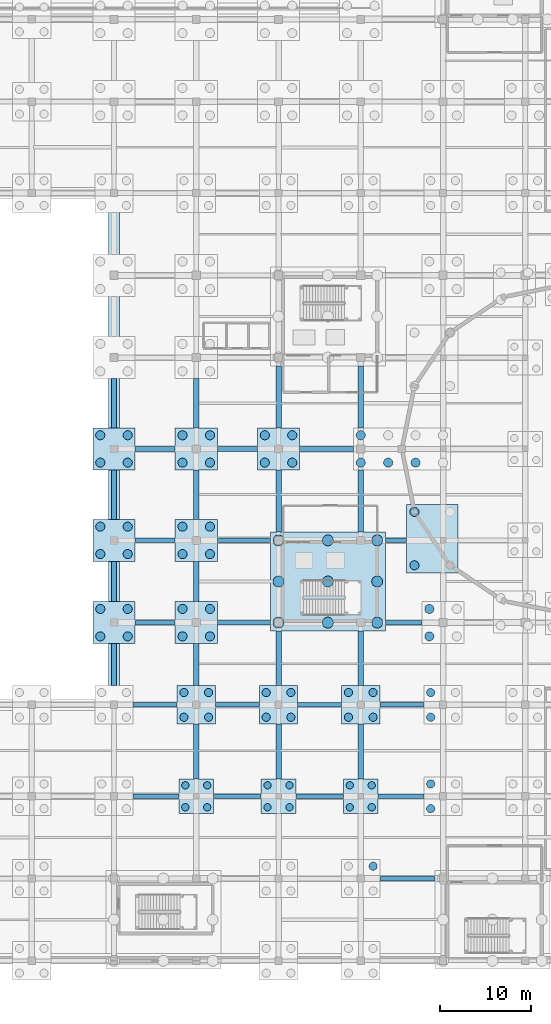
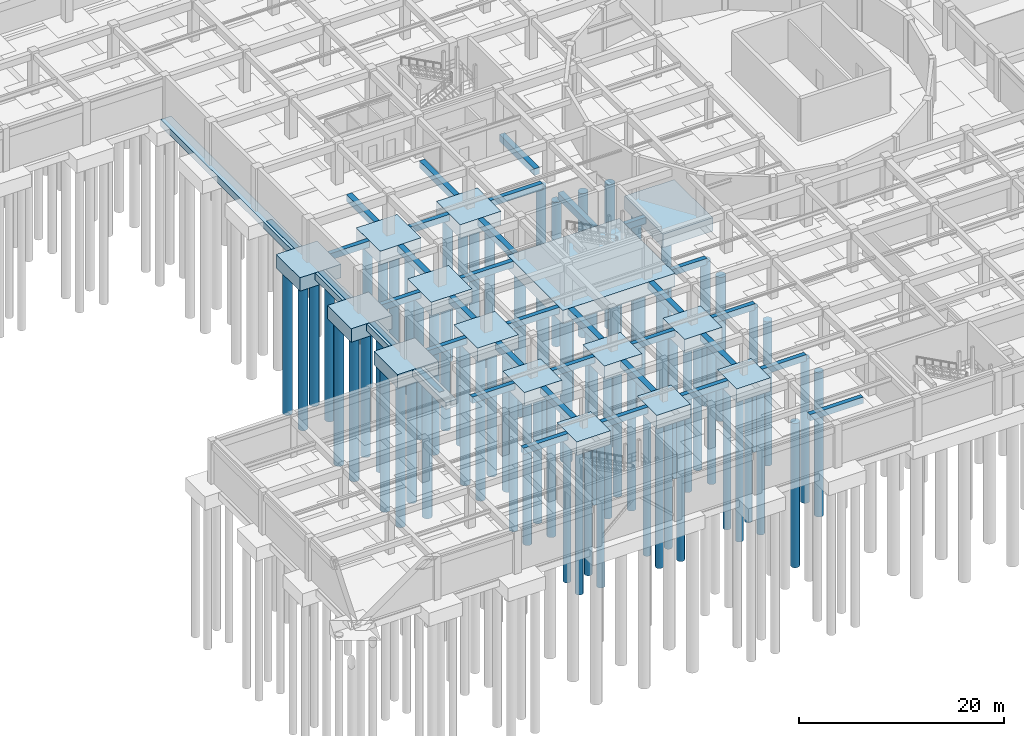
# One storey, part 2 of 62: 74 piles, 51 footings.
"""IFC4 building model written with IfcOpenShell, lengths in metres."""

from ifc_helpers import new_model, si_unit, direction, frame, origin, origin_2d, place, context, subcontext, project, spatial, polyline, rectangle, circle, outline, extrude, material, material_profile, profile_set, type_object, element, save


model = new_model("IFC4")

# Units and contexts
model_context = context("Model", 3, precision=1e-05, world=origin(), true_north=direction((0.0, 1.0)))
body_context = subcontext(model_context, "Body", "Model", "MODEL_VIEW")
ifc_project = project(units=[si_unit("LENGTHUNIT", "METRE"), si_unit("AREAUNIT", "SQUARE_METRE"), si_unit("VOLUMEUNIT", "CUBIC_METRE"), si_unit("PLANEANGLEUNIT", "RADIAN"), si_unit("MASSUNIT", "GRAM", prefix="KILO")], contexts=[model_context])

# Site, building, storey
site_placement = place(None, origin())
site = spatial("IfcSite", under=ifc_project, at=site_placement, CompositionType="ELEMENT")
building_placement = place(site_placement, origin())
building = spatial("IfcBuilding", under=site, at=building_placement, Name="Miravela Opera House", CompositionType="ELEMENT")
storey_placement = place(building_placement, frame((0.0, 0.0, -5.10009765625)))
storey = spatial("IfcBuildingStorey", under=building, at=storey_placement, Name="B01", CompositionType="ELEMENT", Elevation=-5.10009765625)

# Footings
ifc_material = material(Name="Concrete C35/45", Category="concrete")
footing_type_1 = type_object("IfcFootingType", Name="STR-GB-500X750", PredefinedType="FOOTING_BEAM", material=ifc_material)
footing_1_placement = place(storey_placement, frame((0.0, 0.0, -0.75)))
element("IfcFooting", 1, at=footing_1_placement, inside=storey, type_object=footing_type_1, Name="Seismic Grade Tie Beam GB-X-200", PredefinedType="FOOTING_BEAM", context=body_context, shape_type="SweptSolid", body=[
    extrude(outline(polyline([(56.10009765625, 8.75), (62.10009765625, 8.75), (62.10009765625, 9.25), (56.10009765625, 9.25), (56.10009765625, 8.75)])), origin(), (0.0, 0.0, 1.0), 0.75),
])
footing_2_placement = place(storey_placement, frame((0.0, 0.0, -0.75)))
element("IfcFooting", 2, at=footing_2_placement, inside=storey, type_object=footing_type_1, Name="Seismic Grade Tie Beam GB-X-213", PredefinedType="FOOTING_BEAM", context=body_context, shape_type="SweptSolid", body=[
    extrude(outline(polyline([(29.10009765625, 17.75), (34.10009765625, 17.75), (34.10009765625, 18.25), (29.10009765625, 18.25), (29.10009765625, 17.75)])), origin(), (0.0, 0.0, 1.0), 0.75),
])
footing_3_placement = place(storey_placement, frame((0.0, 0.0, -0.75)))
element("IfcFooting", 3, at=footing_3_placement, inside=storey, type_object=footing_type_1, Name="Seismic Grade Tie Beam GB-X-214", PredefinedType="FOOTING_BEAM", context=body_context, shape_type="SweptSolid", body=[
    extrude(outline(polyline([(37.89990234375, 17.75), (43.10009765625, 17.75), (43.10009765625, 18.25), (37.89990234375, 18.25), (37.89990234375, 17.75)])), origin(), (0.0, 0.0, 1.0), 0.75),
])
footing_4_placement = place(storey_placement, frame((0.0, 0.0, -0.75)))
element("IfcFooting", 4, at=footing_4_placement, inside=storey, type_object=footing_type_1, Name="Seismic Grade Tie Beam GB-X-215", PredefinedType="FOOTING_BEAM", context=body_context, shape_type="SweptSolid", body=[
    extrude(outline(polyline([(46.89990234375, 17.75), (52.10009765625, 17.75), (52.10009765625, 18.25), (46.89990234375, 18.25), (46.89990234375, 17.75)])), origin(), (0.0, 0.0, 1.0), 0.75),
])
footing_5_placement = place(storey_placement, frame((0.0, 0.0, -0.75)))
element("IfcFooting", 5, at=footing_5_placement, inside=storey, type_object=footing_type_1, Name="Seismic Grade Tie Beam GB-X-216", PredefinedType="FOOTING_BEAM", context=body_context, shape_type="SweptSolid", body=[
    extrude(outline(polyline([(55.89990234375, 17.75), (60.89990234375, 17.75), (60.89990234375, 18.25), (55.89990234375, 18.25), (55.89990234375, 17.75)])), origin(), (0.0, 0.0, 1.0), 0.75),
])
footing_6_placement = place(storey_placement, frame((0.0, 0.0, -0.75)))
element("IfcFooting", 6, at=footing_6_placement, inside=storey, type_object=footing_type_1, Name="Seismic Grade Tie Beam GB-X-231", PredefinedType="FOOTING_BEAM", context=body_context, shape_type="SweptSolid", body=[
    extrude(outline(polyline([(29.10009765625, 27.75), (33.89990234375, 27.75), (33.89990234375, 28.25), (29.10009765625, 28.25), (29.10009765625, 27.75)])), origin(), (0.0, 0.0, 1.0), 0.75),
])
footing_7_placement = place(storey_placement, frame((0.0, 0.0, -0.75)))
element("IfcFooting", 7, at=footing_7_placement, inside=storey, type_object=footing_type_1, Name="Seismic Grade Tie Beam GB-X-232", PredefinedType="FOOTING_BEAM", context=body_context, shape_type="SweptSolid", body=[
    extrude(outline(polyline([(38.10009765625, 27.75), (42.89990234375, 27.75), (42.89990234375, 28.25), (38.10009765625, 28.25), (38.10009765625, 27.75)])), origin(), (0.0, 0.0, 1.0), 0.75),
])
footing_8_placement = place(storey_placement, frame((0.0, 0.0, -0.75)))
element("IfcFooting", 8, at=footing_8_placement, inside=storey, type_object=footing_type_1, Name="Seismic Grade Tie Beam GB-X-233", PredefinedType="FOOTING_BEAM", context=body_context, shape_type="SweptSolid", body=[
    extrude(outline(polyline([(47.10009765625, 27.75), (51.89990234375, 27.75), (51.89990234375, 28.25), (47.10009765625, 28.25), (47.10009765625, 27.75)])), origin(), (0.0, 0.0, 1.0), 0.75),
])
footing_9_placement = place(storey_placement, frame((0.0, 0.0, -0.75)))
element("IfcFooting", 9, at=footing_9_placement, inside=storey, type_object=footing_type_1, Name="Seismic Grade Tie Beam GB-X-234", PredefinedType="FOOTING_BEAM", context=body_context, shape_type="SweptSolid", body=[
    extrude(outline(polyline([(56.10009765625, 27.75), (60.89990234375, 27.75), (60.89990234375, 28.25), (56.10009765625, 28.25), (56.10009765625, 27.75)])), origin(), (0.0, 0.0, 1.0), 0.75),
])
footing_10_placement = place(storey_placement, frame((0.0, 0.0, -0.75)))
element("IfcFooting", 10, at=footing_10_placement, inside=storey, type_object=footing_type_1, Name="Seismic Grade Tie Beam GB-X-246", PredefinedType="FOOTING_BEAM", context=body_context, shape_type="SweptSolid", body=[
    extrude(outline(polyline([(29.300048828125, 36.75), (33.699951171875, 36.75), (33.699951171875, 37.25), (29.300048828125, 37.25), (29.300048828125, 36.75)])), origin(), (0.0, 0.0, 1.0), 0.75),
])
footing_11_placement = place(storey_placement, frame((0.0, 0.0, -0.75)))
element("IfcFooting", 11, at=footing_11_placement, inside=storey, type_object=footing_type_1, Name="Seismic Grade Tie Beam GB-X-247", PredefinedType="FOOTING_BEAM", context=body_context, shape_type="SweptSolid", body=[
    extrude(outline(polyline([(38.300048828125, 36.75), (44.10009765625, 36.75), (44.10009765625, 37.25), (38.300048828125, 37.25), (38.300048828125, 36.75)])), origin(), (0.0, 0.0, 1.0), 0.75),
])
footing_12_placement = place(storey_placement, frame((0.0, 0.0, -0.75)))
element("IfcFooting", 12, at=footing_12_placement, inside=storey, type_object=footing_type_1, Name="Seismic Grade Tie Beam GB-X-248", PredefinedType="FOOTING_BEAM", context=body_context, shape_type="SweptSolid", body=[
    extrude(outline(polyline([(56.699951171875, 36.75), (60.699951171875, 36.75), (60.699951171875, 37.25), (56.699951171875, 37.25), (56.699951171875, 36.75)])), origin(), (0.0, 0.0, 1.0), 0.75),
])
footing_13_placement = place(storey_placement, frame((0.0, 0.0, -0.75)))
element("IfcFooting", 13, at=footing_13_placement, inside=storey, type_object=footing_type_1, Name="Seismic Grade Tie Beam GB-X-260", PredefinedType="FOOTING_BEAM", context=body_context, shape_type="SweptSolid", body=[
    extrude(outline(polyline([(29.300048828125, 45.75), (33.699951171875, 45.75), (33.699951171875, 46.25), (29.300048828125, 46.25), (29.300048828125, 45.75)])), origin(), (0.0, 0.0, 1.0), 0.75),
])
footing_14_placement = place(storey_placement, frame((0.0, 0.0, -0.75)))
element("IfcFooting", 14, at=footing_14_placement, inside=storey, type_object=footing_type_1, Name="Seismic Grade Tie Beam GB-X-261", PredefinedType="FOOTING_BEAM", context=body_context, shape_type="SweptSolid", body=[
    extrude(outline(polyline([(38.300048828125, 45.75), (44.10009765625, 45.75), (44.10009765625, 46.25), (38.300048828125, 46.25), (38.300048828125, 45.75)])), origin(), (0.0, 0.0, 1.0), 0.75),
])
footing_15_placement = place(storey_placement, frame((0.0, 0.0, -0.75)))
element("IfcFooting", 15, at=footing_15_placement, inside=storey, type_object=footing_type_1, Name="Seismic Grade Tie Beam GB-X-262", PredefinedType="FOOTING_BEAM", context=body_context, shape_type="SweptSolid", body=[
    extrude(outline(polyline([(56.699951171875, 45.75), (59.02099609375, 45.75), (59.02099609375, 46.25), (56.699951171875, 46.25), (56.699951171875, 45.75)])), origin(), (0.0, 0.0, 1.0), 0.75),
])
footing_16_placement = place(storey_placement, frame((0.0, 0.0, -0.75)))
element("IfcFooting", 16, at=footing_16_placement, inside=storey, type_object=footing_type_1, Name="Seismic Grade Tie Beam GB-X-270", PredefinedType="FOOTING_BEAM", context=body_context, shape_type="SweptSolid", body=[
    extrude(outline(polyline([(29.300048828125, 55.75), (33.699951171875, 55.75), (33.699951171875, 56.25), (29.300048828125, 56.25), (29.300048828125, 55.75)])), origin(), (0.0, 0.0, 1.0), 0.75),
])
footing_17_placement = place(storey_placement, frame((0.0, 0.0, -0.75)))
element("IfcFooting", 17, at=footing_17_placement, inside=storey, type_object=footing_type_1, Name="Seismic Grade Tie Beam GB-X-271", PredefinedType="FOOTING_BEAM", context=body_context, shape_type="SweptSolid", body=[
    extrude(outline(polyline([(38.300048828125, 55.75), (42.699951171875, 55.75), (42.699951171875, 56.25), (38.300048828125, 56.25), (38.300048828125, 55.75)])), origin(), (0.0, 0.0, 1.0), 0.75),
])
footing_18_placement = place(storey_placement, frame((0.0, 0.0, -0.75)))
element("IfcFooting", 18, at=footing_18_placement, inside=storey, type_object=footing_type_1, Name="Seismic Grade Tie Beam GB-X-272", PredefinedType="FOOTING_BEAM", context=body_context, shape_type="SweptSolid", body=[
    extrude(outline(polyline([(47.300048828125, 55.75), (53.199951171875, 55.75), (53.199951171875, 56.25), (47.300048828125, 56.25), (47.300048828125, 55.75)])), origin(), (0.0, 0.0, 1.0), 0.75),
])
footing_type_2 = type_object("IfcFootingType", Name="STR-GB-600X800", PredefinedType="FOOTING_BEAM", material=ifc_material)
footing_19_placement = place(storey_placement, frame((0.0, 0.0, -0.7998046875)))
element("IfcFooting", 19, at=footing_19_placement, inside=storey, type_object=footing_type_2, Name="Seismic Grade Tie Beam GB-Y-021", PredefinedType="FOOTING_BEAM", context=body_context, shape_type="SweptSolid", body=[
    extrude(outline(polyline([(26.699951171875, 30.10009765625), (27.300048828125, 30.10009765625), (27.300048828125, 34.699951171875), (26.699951171875, 34.699951171875), (26.699951171875, 30.10009765625)])), origin(), (0.0, 0.0, 1.0), 0.7998046875),
])
footing_20_placement = place(storey_placement, frame((0.0, 0.0, -0.7998046875)))
element("IfcFooting", 20, at=footing_20_placement, inside=storey, type_object=footing_type_2, Name="Seismic Grade Tie Beam GB-Y-022", PredefinedType="FOOTING_BEAM", context=body_context, shape_type="SweptSolid", body=[
    extrude(outline(polyline([(26.699951171875, 39.300048828125), (27.300048828125, 39.300048828125), (27.300048828125, 43.699951171875), (26.699951171875, 43.699951171875), (26.699951171875, 39.300048828125)])), origin(), (0.0, 0.0, 1.0), 0.7998046875),
])
footing_21_placement = place(storey_placement, frame((0.0, 0.0, -0.7998046875)))
element("IfcFooting", 21, at=footing_21_placement, inside=storey, type_object=footing_type_2, Name="Seismic Grade Tie Beam GB-Y-023", PredefinedType="FOOTING_BEAM", context=body_context, shape_type="SweptSolid", body=[
    extrude(outline(polyline([(26.699951171875, 48.300048828125), (27.300048828125, 48.300048828125), (27.300048828125, 53.699951171875), (26.699951171875, 53.699951171875), (26.699951171875, 48.300048828125)])), origin(), (0.0, 0.0, 1.0), 0.7998046875),
])
footing_22_placement = place(storey_placement, frame((0.0, 0.0, -0.7998046875)))
element("IfcFooting", 22, at=footing_22_placement, inside=storey, type_object=footing_type_2, Name="Seismic Grade Tie Beam GB-Y-024", PredefinedType="FOOTING_BEAM", context=body_context, shape_type="SweptSolid", body=[
    extrude(outline(polyline([(26.699951171875, 58.300048828125), (27.300048828125, 58.300048828125), (27.300048828125, 63.699951171875), (26.699951171875, 63.699951171875), (26.699951171875, 58.300048828125)])), origin(), (0.0, 0.0, 1.0), 0.7998046875),
])
footing_23_placement = place(storey_placement, frame((0.0, 0.0, -0.7998046875)))
element("IfcFooting", 23, at=footing_23_placement, inside=storey, type_object=footing_type_2, Name="Seismic Grade Tie Beam GB-Y-031", PredefinedType="FOOTING_BEAM", context=body_context, shape_type="SweptSolid", body=[
    extrude(outline(polyline([(35.699951171875, 19.89990234375), (36.300048828125, 19.89990234375), (36.300048828125, 25.89990234375), (35.699951171875, 25.89990234375), (35.699951171875, 19.89990234375)])), origin(), (0.0, 0.0, 1.0), 0.7998046875),
])
footing_24_placement = place(storey_placement, frame((0.0, 0.0, -0.7998046875)))
element("IfcFooting", 24, at=footing_24_placement, inside=storey, type_object=footing_type_2, Name="Seismic Grade Tie Beam GB-Y-032", PredefinedType="FOOTING_BEAM", context=body_context, shape_type="SweptSolid", body=[
    extrude(outline(polyline([(35.699951171875, 30.10009765625), (36.300048828125, 30.10009765625), (36.300048828125, 34.699951171875), (35.699951171875, 34.699951171875), (35.699951171875, 30.10009765625)])), origin(), (0.0, 0.0, 1.0), 0.7998046875),
])
footing_25_placement = place(storey_placement, frame((0.0, 0.0, -0.7998046875)))
element("IfcFooting", 25, at=footing_25_placement, inside=storey, type_object=footing_type_2, Name="Seismic Grade Tie Beam GB-Y-033", PredefinedType="FOOTING_BEAM", context=body_context, shape_type="SweptSolid", body=[
    extrude(outline(polyline([(35.699951171875, 39.300048828125), (36.300048828125, 39.300048828125), (36.300048828125, 43.699951171875), (35.699951171875, 43.699951171875), (35.699951171875, 39.300048828125)])), origin(), (0.0, 0.0, 1.0), 0.7998046875),
])
footing_26_placement = place(storey_placement, frame((0.0, 0.0, -0.7998046875)))
element("IfcFooting", 26, at=footing_26_placement, inside=storey, type_object=footing_type_2, Name="Seismic Grade Tie Beam GB-Y-034", PredefinedType="FOOTING_BEAM", context=body_context, shape_type="SweptSolid", body=[
    extrude(outline(polyline([(35.699951171875, 48.300048828125), (36.300048828125, 48.300048828125), (36.300048828125, 53.699951171875), (35.699951171875, 53.699951171875), (35.699951171875, 48.300048828125)])), origin(), (0.0, 0.0, 1.0), 0.7998046875),
])
footing_27_placement = place(storey_placement, frame((0.0, 0.0, -0.7998046875)))
element("IfcFooting", 27, at=footing_27_placement, inside=storey, type_object=footing_type_2, Name="Seismic Grade Tie Beam GB-Y-035", PredefinedType="FOOTING_BEAM", context=body_context, shape_type="SweptSolid", body=[
    extrude(outline(polyline([(35.699951171875, 58.300048828125), (36.300048828125, 58.300048828125), (36.300048828125, 63.699951171875), (35.699951171875, 63.699951171875), (35.699951171875, 58.300048828125)])), origin(), (0.0, 0.0, 1.0), 0.7998046875),
])
footing_28_placement = place(storey_placement, frame((0.0, 0.0, -0.7998046875)))
element("IfcFooting", 28, at=footing_28_placement, inside=storey, type_object=footing_type_2, Name="Seismic Grade Tie Beam GB-Y-043", PredefinedType="FOOTING_BEAM", context=body_context, shape_type="SweptSolid", body=[
    extrude(outline(polyline([(44.699951171875, 19.89990234375), (45.300048828125, 19.89990234375), (45.300048828125, 25.89990234375), (44.699951171875, 25.89990234375), (44.699951171875, 19.89990234375)])), origin(), (0.0, 0.0, 1.0), 0.7998046875),
])
footing_29_placement = place(storey_placement, frame((0.0, 0.0, -0.7998046875)))
element("IfcFooting", 29, at=footing_29_placement, inside=storey, type_object=footing_type_2, Name="Seismic Grade Tie Beam GB-Y-044", PredefinedType="FOOTING_BEAM", context=body_context, shape_type="SweptSolid", body=[
    extrude(outline(polyline([(44.699951171875, 30.10009765625), (45.300048828125, 30.10009765625), (45.300048828125, 36.10009765625), (44.699951171875, 36.10009765625), (44.699951171875, 30.10009765625)])), origin(), (0.0, 0.0, 1.0), 0.7998046875),
])
footing_30_placement = place(storey_placement, frame((0.0, 0.0, -0.7998046875)))
element("IfcFooting", 30, at=footing_30_placement, inside=storey, type_object=footing_type_2, Name="Seismic Grade Tie Beam GB-Y-045", PredefinedType="FOOTING_BEAM", context=body_context, shape_type="SweptSolid", body=[
    extrude(outline(polyline([(44.699951171875, 46.89990234375), (45.300048828125, 46.89990234375), (45.300048828125, 53.699951171875), (44.699951171875, 53.699951171875), (44.699951171875, 46.89990234375)])), origin(), (0.0, 0.0, 1.0), 0.7998046875),
])
footing_31_placement = place(storey_placement, frame((0.0, 0.0, -0.7998046875)))
element("IfcFooting", 31, at=footing_31_placement, inside=storey, type_object=footing_type_2, Name="Seismic Grade Tie Beam GB-Y-046", PredefinedType="FOOTING_BEAM", context=body_context, shape_type="SweptSolid", body=[
    extrude(outline(polyline([(44.699951171875, 58.300048828125), (45.300048828125, 58.300048828125), (45.300048828125, 65.10009765625), (44.699951171875, 65.10009765625), (44.699951171875, 58.300048828125)])), origin(), (0.0, 0.0, 1.0), 0.7998046875),
])
footing_32_placement = place(storey_placement, frame((0.0, 0.0, -0.7998046875)))
element("IfcFooting", 32, at=footing_32_placement, inside=storey, type_object=footing_type_2, Name="Seismic Grade Tie Beam GB-Y-053", PredefinedType="FOOTING_BEAM", context=body_context, shape_type="SweptSolid", body=[
    extrude(outline(polyline([(53.699951171875, 19.89990234375), (54.300048828125, 19.89990234375), (54.300048828125, 25.89990234375), (53.699951171875, 25.89990234375), (53.699951171875, 19.89990234375)])), origin(), (0.0, 0.0, 1.0), 0.7998046875),
])
footing_33_placement = place(storey_placement, frame((0.0, 0.0, -0.7998046875)))
element("IfcFooting", 33, at=footing_33_placement, inside=storey, type_object=footing_type_2, Name="Seismic Grade Tie Beam GB-Y-054", PredefinedType="FOOTING_BEAM", context=body_context, shape_type="SweptSolid", body=[
    extrude(outline(polyline([(53.699951171875, 30.10009765625), (54.300048828125, 30.10009765625), (54.300048828125, 36.10009765625), (53.699951171875, 36.10009765625), (53.699951171875, 30.10009765625)])), origin(), (0.0, 0.0, 1.0), 0.7998046875),
])
footing_34_placement = place(storey_placement, frame((0.0, 0.0, -0.7998046875)))
element("IfcFooting", 34, at=footing_34_placement, inside=storey, type_object=footing_type_2, Name="Seismic Grade Tie Beam GB-Y-055", PredefinedType="FOOTING_BEAM", context=body_context, shape_type="SweptSolid", body=[
    extrude(outline(polyline([(53.699951171875, 46.89990234375), (54.300048828125, 46.89990234375), (54.300048828125, 53.699951171875), (53.699951171875, 53.699951171875), (53.699951171875, 46.89990234375)])), origin(), (0.0, 0.0, 1.0), 0.7998046875),
])
footing_35_placement = place(storey_placement, frame((0.0, 0.0, -0.7998046875)))
element("IfcFooting", 35, at=footing_35_placement, inside=storey, type_object=footing_type_2, Name="Seismic Grade Tie Beam GB-Y-056", PredefinedType="FOOTING_BEAM", context=body_context, shape_type="SweptSolid", body=[
    extrude(outline(polyline([(53.699951171875, 58.300048828125), (54.300048828125, 58.300048828125), (54.300048828125, 65.10009765625), (53.699951171875, 65.10009765625), (53.699951171875, 58.300048828125)])), origin(), (0.0, 0.0, 1.0), 0.7998046875),
])
footing_type_3 = type_object("IfcFootingType", Name="STR-PC-12600X10800X1600", PredefinedType="PILE_CAP", material=ifc_material)
footing_36_placement = place(storey_placement, frame((50.39990234375, 41.5, -1.599853515625), z_axis=(0.0, 0.0, 1.0), x_axis=(1.0, 0.0, 0.0)))
element("IfcFooting", 36, at=footing_36_placement, inside=storey, type_object=footing_type_3, Name="Pile Cap PC-B01-052 (PC-03)", PredefinedType="PILE_CAP", context=body_context, shape_type="SweptSolid", body=[
    extrude(rectangle(XDim=12.60009765625, YDim=10.800048828125, at=origin_2d()), origin(), (0.0, 0.0, 1.0), 1.60009765625),
])
footing_type_4 = type_object("IfcFootingType", Name="STR-PC-3800X3800X1600", PredefinedType="PILE_CAP", material=ifc_material)
for number, where, z_axis, x_axis, name in (
    (37, (36.0, 18.0, -1.599853515625), (0.0, 0.0, 1.0), (1.0, 0.0, 0.0), "Pile Cap PC-B01-037 (PC-01)"),
    (38, (45.0, 18.0, -1.599853515625), (0.0, 0.0, 1.0), (1.0, 0.0, 0.0), "Pile Cap PC-B01-050 (PC-01)"),
    (39, (54.0, 18.0, -1.599853515625), (0.0, 0.0, 1.0), (1.0, 0.0, 0.0), "Pile Cap PC-B01-061 (PC-01)"),
):
    element("IfcFooting", number, at=place(storey_placement, frame(where, z_axis=z_axis, x_axis=x_axis)), inside=storey, type_object=footing_type_4, Name=name, PredefinedType="PILE_CAP", context=body_context, shape_type="SweptSolid", body=[
        extrude(rectangle(XDim=3.800048828125, YDim=3.800048828125, at=origin_2d()), origin(), (0.0, 0.0, 1.0), 1.60009765625),
    ])
footing_type_5 = type_object("IfcFootingType", Name="STR-PC-4200X4200X1600", PredefinedType="PILE_CAP", material=ifc_material)
for number, where, z_axis, x_axis, name in (
    (40, (36.0, 28.0, -1.599853515625), (0.0, 0.0, 1.0), (1.0, 0.0, 0.0), "Pile Cap PC-B01-038 (PC-02)"),
    (41, (45.0, 28.0, -1.599853515625), (0.0, 0.0, 1.0), (1.0, 0.0, 0.0), "Pile Cap PC-B01-051 (PC-02)"),
    (42, (54.0, 28.0, -1.599853515625), (0.0, 0.0, 1.0), (1.0, 0.0, 0.0), "Pile Cap PC-B01-062 (PC-02)"),
):
    element("IfcFooting", number, at=place(storey_placement, frame(where, z_axis=z_axis, x_axis=x_axis)), inside=storey, type_object=footing_type_5, Name=name, PredefinedType="PILE_CAP", context=body_context, shape_type="SweptSolid", body=[
        extrude(rectangle(XDim=4.199951171875, YDim=4.199951171875, at=origin_2d()), origin(), (0.0, 0.0, 1.0), 1.60009765625),
    ])
footing_type_6 = type_object("IfcFootingType", Name="STR-PC-4600X4600X1600", PredefinedType="PILE_CAP", material=ifc_material)
for number, where, z_axis, x_axis, name in (
    (43, (27.0, 37.0, -1.599853515625), (0.0, 0.0, 1.0), (1.0, 0.0, 0.0), "Pile Cap PC-B01-028 (PC-04)"),
    (44, (27.0, 46.0, -1.599853515625), (0.0, 0.0, 1.0), (1.0, 0.0, 0.0), "Pile Cap PC-B01-029 (PC-04)"),
    (45, (27.0, 56.0, -1.599853515625), (0.0, 0.0, 1.0), (1.0, 0.0, 0.0), "Pile Cap PC-B01-030 (PC-04)"),
    (46, (36.0, 37.0, -1.599853515625), (0.0, 0.0, 1.0), (1.0, 0.0, 0.0), "Pile Cap PC-B01-039 (PC-04)"),
    (47, (36.0, 46.0, -1.599853515625), (0.0, 0.0, 1.0), (1.0, 0.0, 0.0), "Pile Cap PC-B01-040 (PC-04)"),
    (48, (36.0, 56.0, -1.599853515625), (0.0, 0.0, 1.0), (1.0, 0.0, 0.0), "Pile Cap PC-B01-041 (PC-04)"),
    (49, (45.0, 56.0, -1.599853515625), (0.0, 0.0, 1.0), (1.0, 0.0, 0.0), "Pile Cap PC-B01-053 (PC-04)"),
):
    element("IfcFooting", number, at=place(storey_placement, frame(where, z_axis=z_axis, x_axis=x_axis)), inside=storey, type_object=footing_type_6, Name=name, PredefinedType="PILE_CAP", context=body_context, shape_type="SweptSolid", body=[
        extrude(rectangle(XDim=4.60009765625, YDim=4.60009765625, at=origin_2d()), origin(), (0.0, 0.0, 1.0), 1.60009765625),
    ])
footing_type_7 = type_object("IfcFootingType", Name="STR-PC-5600X7500X1600", PredefinedType="PILE_CAP", material=ifc_material)
footing_37_placement = place(storey_placement, frame((61.821044921875, 46.19189453125, -1.599853515625), z_axis=(0.0, 0.0, 1.0), x_axis=(1.0, 0.0, 0.0)))
element("IfcFooting", 50, at=footing_37_placement, inside=storey, type_object=footing_type_7, Name="Pile Cap PC-B01-072 (PC-06)", PredefinedType="PILE_CAP", context=body_context, shape_type="SweptSolid", body=[
    extrude(rectangle(XDim=5.60009765625, YDim=7.5, at=origin_2d()), origin(), (0.0, 0.0, 1.0), 1.60009765625),
])

# Piles
ifc_material_profile_1 = material_profile(ifc_material, circle(Radius=0.5, at=origin_2d()), Name="PILE-D1000")
ifc_profile_set_1 = profile_set([ifc_material_profile_1])
pile_type_1 = type_object("IfcPileType", Name="STR-PILE-D1000", PredefinedType="BORED", material=ifc_profile_set_1)
for number, where, z_axis, x_axis, name in (
    (51, (25.5, 35.5, -1.449951171875), (0.0, 0.0, -1.0), (1.0, 0.0, 0.0), "Bored Pile P-114"),
    (52, (25.5, 38.5, -1.449951171875), (0.0, 0.0, -1.0), (1.0, 0.0, 0.0), "Bored Pile P-115"),
    (53, (28.5, 35.5, -1.449951171875), (0.0, 0.0, -1.0), (1.0, 0.0, 0.0), "Bored Pile P-116"),
    (54, (28.5, 38.5, -1.449951171875), (0.0, 0.0, -1.0), (1.0, 0.0, 0.0), "Bored Pile P-117"),
    (55, (25.5, 44.5, -1.449951171875), (0.0, 0.0, -1.0), (1.0, 0.0, 0.0), "Bored Pile P-118"),
    (56, (25.5, 47.5, -1.449951171875), (0.0, 0.0, -1.0), (1.0, 0.0, 0.0), "Bored Pile P-119"),
    (57, (28.5, 44.5, -1.449951171875), (0.0, 0.0, -1.0), (1.0, 0.0, 0.0), "Bored Pile P-120"),
    (58, (28.5, 47.5, -1.449951171875), (0.0, 0.0, -1.0), (1.0, 0.0, 0.0), "Bored Pile P-121"),
    (59, (25.5, 54.5, -1.449951171875), (0.0, 0.0, -1.0), (1.0, 0.0, 0.0), "Bored Pile P-122"),
    (60, (25.5, 57.5, -1.449951171875), (0.0, 0.0, -1.0), (1.0, 0.0, 0.0), "Bored Pile P-123"),
    (61, (28.5, 54.5, -1.449951171875), (0.0, 0.0, -1.0), (1.0, 0.0, 0.0), "Bored Pile P-124"),
    (62, (28.5, 57.5, -1.449951171875), (0.0, 0.0, -1.0), (1.0, 0.0, 0.0), "Bored Pile P-125"),
    (63, (34.5, 35.5, -1.449951171875), (0.0, 0.0, -1.0), (1.0, 0.0, 0.0), "Bored Pile P-158"),
    (64, (34.5, 38.5, -1.449951171875), (0.0, 0.0, -1.0), (1.0, 0.0, 0.0), "Bored Pile P-159"),
    (65, (37.5, 35.5, -1.449951171875), (0.0, 0.0, -1.0), (1.0, 0.0, 0.0), "Bored Pile P-160"),
    (66, (37.5, 38.5, -1.449951171875), (0.0, 0.0, -1.0), (1.0, 0.0, 0.0), "Bored Pile P-161"),
    (67, (34.5, 44.5, -1.449951171875), (0.0, 0.0, -1.0), (1.0, 0.0, 0.0), "Bored Pile P-162"),
    (68, (34.5, 47.5, -1.449951171875), (0.0, 0.0, -1.0), (1.0, 0.0, 0.0), "Bored Pile P-163"),
    (69, (37.5, 44.5, -1.449951171875), (0.0, 0.0, -1.0), (1.0, 0.0, 0.0), "Bored Pile P-164"),
    (70, (37.5, 47.5, -1.449951171875), (0.0, 0.0, -1.0), (1.0, 0.0, 0.0), "Bored Pile P-165"),
    (71, (34.5, 54.5, -1.449951171875), (0.0, 0.0, -1.0), (1.0, 0.0, 0.0), "Bored Pile P-166"),
    (72, (34.5, 57.5, -1.449951171875), (0.0, 0.0, -1.0), (1.0, 0.0, 0.0), "Bored Pile P-167"),
    (73, (37.5, 54.5, -1.449951171875), (0.0, 0.0, -1.0), (1.0, 0.0, 0.0), "Bored Pile P-168"),
    (74, (37.5, 57.5, -1.449951171875), (0.0, 0.0, -1.0), (1.0, 0.0, 0.0), "Bored Pile P-169"),
    (75, (43.5, 54.5, -1.449951171875), (0.0, 0.0, -1.0), (1.0, 0.0, 0.0), "Bored Pile P-219"),
    (76, (43.5, 57.5, -1.449951171875), (0.0, 0.0, -1.0), (1.0, 0.0, 0.0), "Bored Pile P-220"),
    (77, (46.5, 54.5, -1.449951171875), (0.0, 0.0, -1.0), (1.0, 0.0, 0.0), "Bored Pile P-221"),
    (78, (46.5, 57.5, -1.449951171875), (0.0, 0.0, -1.0), (1.0, 0.0, 0.0), "Bored Pile P-222"),
    (79, (54.0, 54.5, -1.449951171875), (0.0, 0.0, -1.0), (1.0, 0.0, 0.0), "Bored Pile P-264"),
    (80, (54.0, 57.5, -1.449951171875), (0.0, 0.0, -1.0), (1.0, 0.0, 0.0), "Bored Pile P-265"),
    (81, (57.0, 54.5, -1.449951171875), (0.0, 0.0, -1.0), (1.0, 0.0, 0.0), "Bored Pile P-266"),
    (82, (60.0, 54.5, -1.449951171875), (0.0, 0.0, -1.0), (1.0, 0.0, 0.0), "Bored Pile P-268"),
    (83, (61.5, 35.5, -1.449951171875), (0.0, 0.0, -1.0), (1.0, 0.0, 0.0), "Bored Pile P-305"),
    (84, (61.5, 38.5, -1.449951171875), (0.0, 0.0, -1.0), (1.0, 0.0, 0.0), "Bored Pile P-306"),
    (85, (59.8701171875, 43.272216796875, -1.449951171875), (0.0, 0.0, -1.0), (1.0, 0.0, 0.0), "Bored Pile P-309"),
    (86, (59.8701171875, 49.11181640625, -1.449951171875), (0.0, 0.0, -1.0), (1.0, 0.0, 0.0), "Bored Pile P-310"),
):
    element("IfcPile", number, at=place(storey_placement, frame(where, z_axis=z_axis, x_axis=x_axis)), inside=storey, type_object=pile_type_1, Name=name, PredefinedType="BORED", context=body_context, shape_type="SweptSolid", body=[
        extrude(circle(Radius=0.5, at=origin_2d()), origin(), (0.0, 0.0, 1.0), 17.14990234375),
    ])
ifc_material_profile_2 = material_profile(ifc_material, circle(Radius=0.60009765625, at=origin_2d()), Name="PILE-D1200")
ifc_profile_set_2 = profile_set([ifc_material_profile_2])
pile_type_2 = type_object("IfcPileType", Name="STR-PILE-D1200", PredefinedType="BORED", material=ifc_profile_set_2)
for number, where, z_axis, x_axis, name in (
    (87, (45.0, 37.0, -1.449951171875), (0.0, 0.0, -1.0), (1.0, 0.0, 0.0), "Bored Pile P-210"),
    (88, (45.0, 41.5, -1.449951171875), (0.0, 0.0, -1.0), (1.0, 0.0, 0.0), "Bored Pile P-211"),
    (89, (45.0, 46.0, -1.449951171875), (0.0, 0.0, -1.0), (1.0, 0.0, 0.0), "Bored Pile P-212"),
    (90, (50.39990234375, 37.0, -1.449951171875), (0.0, 0.0, -1.0), (1.0, 0.0, 0.0), "Bored Pile P-213"),
    (91, (50.39990234375, 41.5, -1.449951171875), (0.0, 0.0, -1.0), (1.0, 0.0, 0.0), "Bored Pile P-214"),
    (92, (50.39990234375, 46.0, -1.449951171875), (0.0, 0.0, -1.0), (1.0, 0.0, 0.0), "Bored Pile P-215"),
    (93, (55.800048828125, 37.0, -1.449951171875), (0.0, 0.0, -1.0), (1.0, 0.0, 0.0), "Bored Pile P-216"),
    (94, (55.800048828125, 41.5, -1.449951171875), (0.0, 0.0, -1.0), (1.0, 0.0, 0.0), "Bored Pile P-217"),
    (95, (55.800048828125, 46.0, -1.449951171875), (0.0, 0.0, -1.0), (1.0, 0.0, 0.0), "Bored Pile P-218"),
):
    element("IfcPile", number, at=place(storey_placement, frame(where, z_axis=z_axis, x_axis=x_axis)), inside=storey, type_object=pile_type_2, Name=name, PredefinedType="BORED", context=body_context, shape_type="SweptSolid", body=[
        extrude(circle(Radius=0.60009765625, at=origin_2d()), origin(), (0.0, 0.0, 1.0), 17.14990234375),
    ])
ifc_material_profile_3 = material_profile(ifc_material, circle(Radius=0.39990234375, at=origin_2d()), Name="PILE-D800")
ifc_profile_set_3 = profile_set([ifc_material_profile_3])
pile_type_3 = type_object("IfcPileType", Name="STR-PILE-D800", PredefinedType="BORED", material=ifc_profile_set_3)
for number, where, z_axis, x_axis, name in (
    (96, (34.800048828125, 16.800048828125, -1.449951171875), (0.0, 0.0, -1.0), (1.0, 0.0, 0.0), "Bored Pile P-150"),
    (97, (34.800048828125, 19.199951171875, -1.449951171875), (0.0, 0.0, -1.0), (1.0, 0.0, 0.0), "Bored Pile P-151"),
    (98, (37.199951171875, 16.800048828125, -1.449951171875), (0.0, 0.0, -1.0), (1.0, 0.0, 0.0), "Bored Pile P-152"),
    (99, (37.199951171875, 19.199951171875, -1.449951171875), (0.0, 0.0, -1.0), (1.0, 0.0, 0.0), "Bored Pile P-153"),
    (100, (43.800048828125, 16.800048828125, -1.449951171875), (0.0, 0.0, -1.0), (1.0, 0.0, 0.0), "Bored Pile P-202"),
    (101, (43.800048828125, 19.199951171875, -1.449951171875), (0.0, 0.0, -1.0), (1.0, 0.0, 0.0), "Bored Pile P-203"),
    (102, (46.199951171875, 16.800048828125, -1.449951171875), (0.0, 0.0, -1.0), (1.0, 0.0, 0.0), "Bored Pile P-204"),
    (103, (46.199951171875, 19.199951171875, -1.449951171875), (0.0, 0.0, -1.0), (1.0, 0.0, 0.0), "Bored Pile P-205"),
    (104, (52.800048828125, 16.800048828125, -1.449951171875), (0.0, 0.0, -1.0), (1.0, 0.0, 0.0), "Bored Pile P-256"),
    (105, (52.800048828125, 19.199951171875, -1.449951171875), (0.0, 0.0, -1.0), (1.0, 0.0, 0.0), "Bored Pile P-257"),
    (106, (55.199951171875, 16.800048828125, -1.449951171875), (0.0, 0.0, -1.0), (1.0, 0.0, 0.0), "Bored Pile P-258"),
    (107, (55.199951171875, 19.199951171875, -1.449951171875), (0.0, 0.0, -1.0), (1.0, 0.0, 0.0), "Bored Pile P-259"),
):
    element("IfcPile", number, at=place(storey_placement, frame(where, z_axis=z_axis, x_axis=x_axis)), inside=storey, type_object=pile_type_3, Name=name, PredefinedType="BORED", context=body_context, shape_type="SweptSolid", body=[
        extrude(circle(Radius=0.39990234375, at=origin_2d()), origin(), (0.0, 0.0, 1.0), 17.14990234375),
    ])
ifc_material_profile_4 = material_profile(ifc_material, circle(Radius=0.449951171875, at=origin_2d()), Name="PILE-D900")
ifc_profile_set_4 = profile_set([ifc_material_profile_4])
pile_type_4 = type_object("IfcPileType", Name="STR-PILE-D900", PredefinedType="BORED", material=ifc_profile_set_4)
for number, where, z_axis, x_axis, name in (
    (108, (34.64990234375, 26.64990234375, -1.449951171875), (0.0, 0.0, -1.0), (1.0, 0.0, 0.0), "Bored Pile P-154"),
    (109, (34.64990234375, 29.35009765625, -1.449951171875), (0.0, 0.0, -1.0), (1.0, 0.0, 0.0), "Bored Pile P-155"),
    (110, (37.35009765625, 26.64990234375, -1.449951171875), (0.0, 0.0, -1.0), (1.0, 0.0, 0.0), "Bored Pile P-156"),
    (111, (37.35009765625, 29.35009765625, -1.449951171875), (0.0, 0.0, -1.0), (1.0, 0.0, 0.0), "Bored Pile P-157"),
    (112, (43.64990234375, 26.64990234375, -1.449951171875), (0.0, 0.0, -1.0), (1.0, 0.0, 0.0), "Bored Pile P-206"),
    (113, (43.64990234375, 29.35009765625, -1.449951171875), (0.0, 0.0, -1.0), (1.0, 0.0, 0.0), "Bored Pile P-207"),
    (114, (46.35009765625, 26.64990234375, -1.449951171875), (0.0, 0.0, -1.0), (1.0, 0.0, 0.0), "Bored Pile P-208"),
    (115, (46.35009765625, 29.35009765625, -1.449951171875), (0.0, 0.0, -1.0), (1.0, 0.0, 0.0), "Bored Pile P-209"),
    (116, (55.35009765625, 10.35009765625, -1.449951171875), (0.0, 0.0, -1.0), (1.0, 0.0, 0.0), "Bored Pile P-255"),
    (117, (52.64990234375, 26.64990234375, -1.449951171875), (0.0, 0.0, -1.0), (1.0, 0.0, 0.0), "Bored Pile P-260"),
    (118, (52.64990234375, 29.35009765625, -1.449951171875), (0.0, 0.0, -1.0), (1.0, 0.0, 0.0), "Bored Pile P-261"),
    (119, (55.35009765625, 26.64990234375, -1.449951171875), (0.0, 0.0, -1.0), (1.0, 0.0, 0.0), "Bored Pile P-262"),
    (120, (55.35009765625, 29.35009765625, -1.449951171875), (0.0, 0.0, -1.0), (1.0, 0.0, 0.0), "Bored Pile P-263"),
    (121, (61.64990234375, 16.64990234375, -1.449951171875), (0.0, 0.0, -1.0), (1.0, 0.0, 0.0), "Bored Pile P-297"),
    (122, (61.64990234375, 19.35009765625, -1.449951171875), (0.0, 0.0, -1.0), (1.0, 0.0, 0.0), "Bored Pile P-298"),
    (123, (61.64990234375, 26.64990234375, -1.449951171875), (0.0, 0.0, -1.0), (1.0, 0.0, 0.0), "Bored Pile P-301"),
    (124, (61.64990234375, 29.35009765625, -1.449951171875), (0.0, 0.0, -1.0), (1.0, 0.0, 0.0), "Bored Pile P-302"),
):
    element("IfcPile", number, at=place(storey_placement, frame(where, z_axis=z_axis, x_axis=x_axis)), inside=storey, type_object=pile_type_4, Name=name, PredefinedType="BORED", context=body_context, shape_type="SweptSolid", body=[
        extrude(circle(Radius=0.449951171875, at=origin_2d()), origin(), (0.0, 0.0, 1.0), 17.14990234375),
    ])

# Footing
footing_type_8 = type_object("IfcFootingType", Name="STR-SF-1200X800", PredefinedType="STRIP_FOOTING", material=ifc_material)
footing_38_placement = place(storey_placement, frame((0.0, 0.0, -0.7998046875)))
element("IfcFooting", 125, at=footing_38_placement, inside=storey, type_object=footing_type_8, Name="Retaining Wall Strip Footing B01-RET-FW", PredefinedType="STRIP_FOOTING", context=body_context, shape_type="SweptSolid", body=[
    extrude(outline(polyline([(26.39990234375, 28.22509765625), (27.60009765625, 28.22509765625), (27.60009765625, 83.77490234375), (26.39990234375, 83.77490234375), (26.39990234375, 28.22509765625)])), origin(), (0.0, 0.0, 1.0), 0.7998046875),
])

save(model, "model.ifc")
